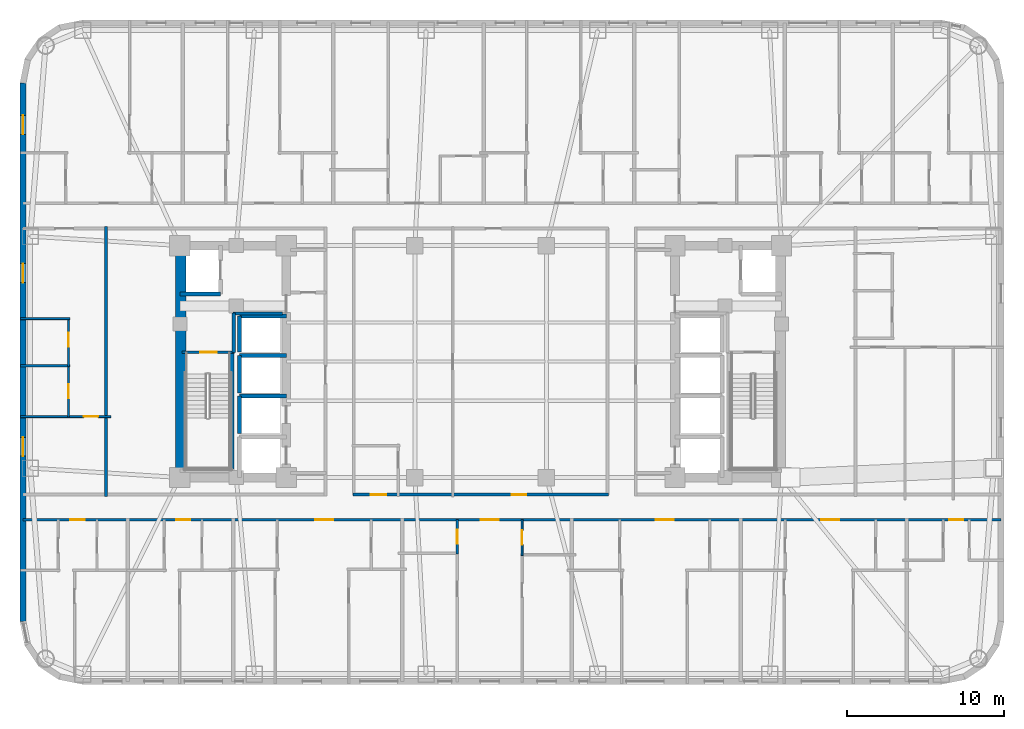
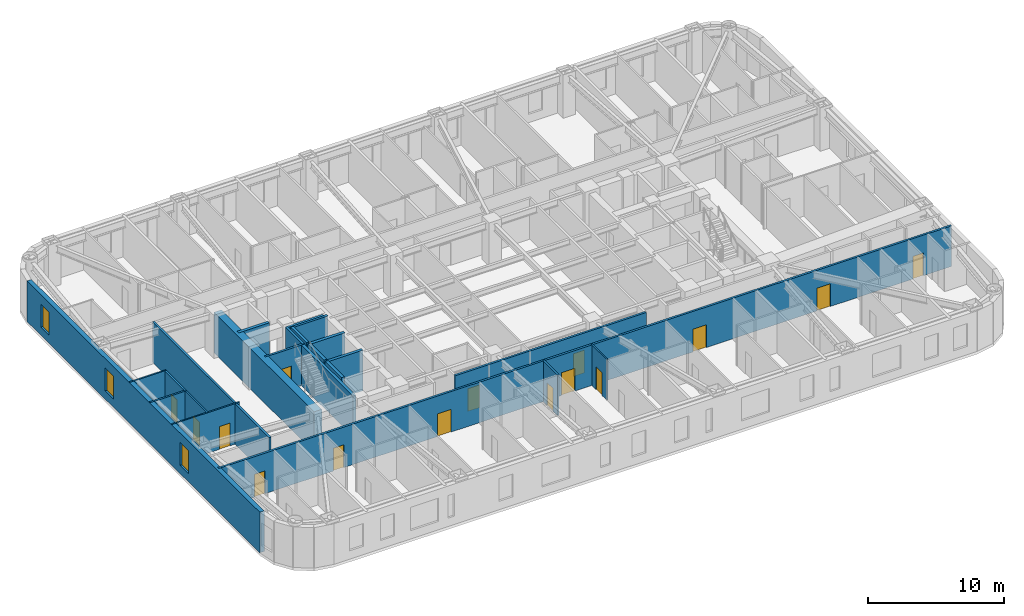
# One storey, part 4 of 11: 23 walls, 15 doors, 3 windows, 18 openings.
"""IFC4 building model written with IfcOpenShell, lengths in metres."""

from ifc_helpers import new_model, si_unit, direction, frame, frame_2d, origin, place, context, subcontext, project, spatial, rectangle, extrude, material, layer, layer_set, type_object, element, fill, save


model = new_model("IFC4")

# Units and contexts
model_context = context("Model", 3, precision=1e-05, world=origin(), true_north=direction((0.0, 1.0)))
body_context = subcontext(model_context, "Body", "Model", "MODEL_VIEW")
ifc_project = project(units=[si_unit("LENGTHUNIT", "METRE"), si_unit("AREAUNIT", "SQUARE_METRE"), si_unit("VOLUMEUNIT", "CUBIC_METRE"), si_unit("PLANEANGLEUNIT", "RADIAN"), si_unit("MASSUNIT", "GRAM", prefix="KILO")], contexts=[model_context])

# Site, building, storey
site_placement = place(None, origin())
site = spatial("IfcSite", under=ifc_project, at=site_placement, CompositionType="ELEMENT")
building_placement = place(site_placement, origin())
building = spatial("IfcBuilding", under=site, at=building_placement, Name="Voryun Gate Residences", CompositionType="ELEMENT")
storey_placement = place(building_placement, frame((0.0, 0.0, 97.5)))
storey = spatial("IfcBuildingStorey", under=building, at=storey_placement, Name="L23", CompositionType="ELEMENT", Elevation=97.5)

# Wall
ifc_material_1 = material(Name="Concrete C60/75", Category="concrete")
ifc_layer_1 = layer(ifc_material_1, 0.64990234375, Name="CW_CORE_650")
ifc_layer_set_1 = layer_set([ifc_layer_1], Name="Concrete C60/75")
wall_type_1 = type_object("IfcWallType", Name="CW_CORE_650", PredefinedType="SHEAR", material=ifc_layer_set_1)
wall_1_placement = place(storey_placement, frame((-19.14501953125, -7.39990234375, 0.0), z_axis=(0.0, 0.0, 1.0), x_axis=(0.0, 1.0, 0.0)))
element("IfcWall", 1, at=wall_1_placement, inside=storey, type_object=wall_type_1, Name="L23 Core shear wall CW-L23-WW", PredefinedType="SHEAR", context=body_context, shape_type="SweptSolid", body=[
    extrude(rectangle(XDim=14.7998046875, YDim=0.64990234375, at=frame_2d((7.39990234375, 0.0))), origin(), (0.0, 0.0, 1.0), 3.64990234375),
])

# Wall, opening, door
ifc_material_2 = material(Name="Gypsum acoustic fireboard")
ifc_layer_2 = layer(ifc_material_2, 0.179931640625, Name="W_CORR_RATED_180")
ifc_layer_set_2 = layer_set([ifc_layer_2], Name="Gypsum acoustic fireboard")
wall_type_2 = type_object("IfcWallType", Name="W_CORR_RATED_180", PredefinedType="PARTITIONING", material=ifc_layer_set_2)
wall_2_placement = place(storey_placement, frame((-19.06005859375, 0.60009765625, 0.0), z_axis=(0.0, 0.0, 1.0), x_axis=(1.0, 0.0, 0.0)))
wall_2 = element("IfcWall", 2, at=wall_2_placement, inside=storey, type_object=wall_type_2, Name="Partition wall WP-L23-STV-W", PredefinedType="PARTITIONING", context=body_context, shape_type="SweptSolid", body=[
    extrude(rectangle(XDim=3.360107421875, YDim=0.179931640625, at=frame_2d((1.68017578125, 0.0))), origin(), (0.0, 0.0, 1.0), 3.64990234375),
])
opening_1_placement = place(wall_2_placement, frame((1.155029296875, 0.0, 0.0)))
opening_1 = element("IfcOpeningElement", 3, at=opening_1_placement, cuts=wall_2, Name="Opening D-FD60-1", PredefinedType="OPENING", context=body_context, shape_type="SweptSolid", body=[
    extrude(rectangle(XDim=1.050048828125, YDim=2.050048828125, at=frame_2d((0.52490234375, 1.02490234375))), frame((0.0, 0.099853515625, 0.0), z_axis=(0.0, -1.0, 0.0), x_axis=(1.0, 0.0, 0.0)), (0.0, 0.0, 1.0), 0.199951171875),
])
ifc_material_3 = material(Name="Painted steel fire door", Category="steel")
door_type_1 = type_object("IfcDoorType", Name="DR_FD60_STAIR_1050", OperationType="NOTDEFINED", PredefinedType="DOOR", material=ifc_material_3)
door_1_placement = place(opening_1_placement, origin())
door_1 = element("IfcDoor", 4, at=door_1_placement, inside=storey, type_object=door_type_1, Name="Door DR-L23-ST-W", OperationType="SINGLE_SWING_LEFT", OverallHeight=2.050048828125, OverallWidth=1.050048828125, PredefinedType="DOOR", context=body_context, shape_type="SweptSolid", body=[
    extrude(rectangle(XDim=1.050048828125, YDim=2.050048828125, at=frame_2d((0.52490234375, 1.02490234375))), frame((0.0, 0.02490234375, 0.0), z_axis=(0.0, -1.0, 0.0), x_axis=(1.0, 0.0, 0.0)), (0.0, 0.0, 1.0), 0.050048828125),
])
fill(opening_1, door_1)

# Wall, openings, doors
wall_3_placement = place(storey_placement, frame((-8.14990234375, -8.489990234375, 0.0), z_axis=(0.0, 0.0, 1.0), x_axis=(1.0, 0.0, 0.0)))
wall_3 = element("IfcWall", 5, at=wall_3_placement, inside=storey, type_object=wall_type_2, Name="Partition wall WP-L23-Z1S", PredefinedType="PARTITIONING", context=body_context, shape_type="SweptSolid", body=[
    extrude(rectangle(XDim=16.2998046875, YDim=0.179931640625, at=frame_2d((8.14990234375, 0.0))), origin(), (0.0, 0.0, 1.0), 3.64990234375),
])
opening_2_placement = place(wall_3_placement, frame((1.1298828125, 0.0, 0.0)))
opening_2 = element("IfcOpeningElement", 6, at=opening_2_placement, cuts=wall_3, Name="Opening D-AWC-1", PredefinedType="OPENING", context=body_context, shape_type="SweptSolid", body=[
    extrude(rectangle(XDim=1.0, YDim=2.050048828125, at=frame_2d((0.5, 1.02490234375))), frame((0.0, 0.099853515625, 0.0), z_axis=(0.0, -1.0, 0.0), x_axis=(1.0, 0.0, 0.0)), (0.0, 0.0, 1.0), 0.199951171875),
])
opening_3_placement = place(wall_3_placement, frame((10.1201171875, 0.0, 0.0)))
opening_3 = element("IfcOpeningElement", 7, at=opening_3_placement, cuts=wall_3, Name="Opening D-INT-1", PredefinedType="OPENING", context=body_context, shape_type="SweptSolid", body=[
    extrude(rectangle(XDim=0.949951171875, YDim=2.050048828125, at=frame_2d((0.47509765625, 1.02490234375))), frame((0.0, 0.099853515625, 0.0), z_axis=(0.0, -1.0, 0.0), x_axis=(1.0, 0.0, 0.0)), (0.0, 0.0, 1.0), 0.199951171875),
])
ifc_material_4 = material(Name="Architectural oak veneer")
door_type_2 = type_object("IfcDoorType", Name="DR_ACC_WC_1000", OperationType="NOTDEFINED", PredefinedType="DOOR", material=ifc_material_4)
door_2_placement = place(opening_2_placement, origin())
door_2 = element("IfcDoor", 8, at=door_2_placement, inside=storey, type_object=door_type_2, Name="Door DR-L23-CMWC-D", OperationType="SINGLE_SWING_LEFT", OverallHeight=2.050048828125, OverallWidth=1.0, PredefinedType="DOOR", context=body_context, shape_type="SweptSolid", body=[
    extrude(rectangle(XDim=1.0, YDim=2.050048828125, at=frame_2d((0.5, 1.02490234375))), frame((0.0, 0.02490234375, 0.0), z_axis=(0.0, -1.0, 0.0), x_axis=(1.0, 0.0, 0.0)), (0.0, 0.0, 1.0), 0.050048828125),
])
fill(opening_2, door_2)
ifc_material_5 = material(Name="Architectural oak veneer")
door_type_3 = type_object("IfcDoorType", Name="DR_INT_ROOM_950", OperationType="NOTDEFINED", PredefinedType="DOOR", material=ifc_material_5)
door_3_placement = place(opening_3_placement, origin())
door_3 = element("IfcDoor", 9, at=door_3_placement, inside=storey, type_object=door_type_3, Name="Door DR-L23-CMIDZ1S", OperationType="SINGLE_SWING_RIGHT", OverallHeight=2.050048828125, OverallWidth=0.949951171875, PredefinedType="DOOR", context=body_context, shape_type="SweptSolid", body=[
    extrude(rectangle(XDim=0.949951171875, YDim=2.050048828125, at=frame_2d((0.47509765625, 1.02490234375))), frame((0.0, 0.02490234375, 0.0), z_axis=(0.0, -1.0, 0.0), x_axis=(1.0, 0.0, 0.0)), (0.0, 0.0, 1.0), 0.050048828125),
])
fill(opening_3, door_3)

wall_4_placement = place(storey_placement, frame((-29.2099609375, -10.10009765625, 0.0), z_axis=(0.0, 0.0, 1.0), x_axis=(1.0, 0.0, 0.0)))
wall_4 = element("IfcWall", 10, at=wall_4_placement, inside=storey, type_object=wall_type_2, Name="Partition wall WP-L23-SCORR", PredefinedType="PARTITIONING", context=body_context, shape_type="SweptSolid", body=[
    extrude(rectangle(XDim=62.419921875, YDim=0.179931640625, at=frame_2d((31.2099609375, 0.0))), origin(), (0.0, 0.0, 1.0), 3.64990234375),
])
opening_4_placement = place(wall_4_placement, frame((3.032958984375, 0.0, 0.0)))
opening_4 = element("IfcOpeningElement", 11, at=opening_4_placement, cuts=wall_4, Name="Opening D-INT-2", PredefinedType="OPENING", context=body_context, shape_type="SweptSolid", body=[
    extrude(rectangle(XDim=0.89990234375, YDim=2.050048828125, at=frame_2d((0.449951171875, 1.02490234375))), frame((0.0, 0.099853515625, 0.0), z_axis=(0.0, -1.0, 0.0), x_axis=(1.0, 0.0, 0.0)), (0.0, 0.0, 1.0), 0.199951171875),
])
opening_5_placement = place(wall_4_placement, frame((9.768310546875, 0.0, 0.0)))
opening_5 = element("IfcOpeningElement", 12, at=opening_5_placement, cuts=wall_4, Name="Opening D-INT-2", PredefinedType="OPENING", context=body_context, shape_type="SweptSolid", body=[
    extrude(rectangle(XDim=0.89990234375, YDim=2.050048828125, at=frame_2d((0.449951171875, 1.02490234375))), frame((0.0, 0.099853515625, 0.0), z_axis=(0.0, -1.0, 0.0), x_axis=(1.0, 0.0, 0.0)), (0.0, 0.0, 1.0), 0.199951171875),
])
opening_6_placement = place(wall_4_placement, frame((18.650390625, 0.0, 0.0)))
opening_6 = element("IfcOpeningElement", 13, at=opening_6_placement, cuts=wall_4, Name="Opening D-UNIT-1", PredefinedType="OPENING", context=body_context, shape_type="SweptSolid", body=[
    extrude(rectangle(XDim=1.14990234375, YDim=2.050048828125, at=frame_2d((0.574951171875, 1.02490234375))), frame((0.0, 0.099853515625, 0.0), z_axis=(0.0, -1.0, 0.0), x_axis=(1.0, 0.0, 0.0)), (0.0, 0.0, 1.0), 0.199951171875),
])
opening_7_placement = place(wall_4_placement, frame((29.2119140625, 0.0, 0.0)))
opening_7 = element("IfcOpeningElement", 14, at=opening_7_placement, cuts=wall_4, Name="Opening D-UNIT-1", PredefinedType="OPENING", context=body_context, shape_type="SweptSolid", body=[
    extrude(rectangle(XDim=1.14990234375, YDim=2.050048828125, at=frame_2d((0.574951171875, 1.02490234375))), frame((0.0, 0.099853515625, 0.0), z_axis=(0.0, -1.0, 0.0), x_axis=(1.0, 0.0, 0.0)), (0.0, 0.0, 1.0), 0.199951171875),
])
opening_8_placement = place(wall_4_placement, frame((40.37890625, 0.0, 0.0)))
opening_8 = element("IfcOpeningElement", 15, at=opening_8_placement, cuts=wall_4, Name="Opening D-UNIT-1", PredefinedType="OPENING", context=body_context, shape_type="SweptSolid", body=[
    extrude(rectangle(XDim=1.14990234375, YDim=2.050048828125, at=frame_2d((0.574951171875, 1.02490234375))), frame((0.0, 0.099853515625, 0.0), z_axis=(0.0, -1.0, 0.0), x_axis=(1.0, 0.0, 0.0)), (0.0, 0.0, 1.0), 0.199951171875),
])
opening_9_placement = place(wall_4_placement, frame((50.958984375, 0.0, 0.0)))
opening_9 = element("IfcOpeningElement", 16, at=opening_9_placement, cuts=wall_4, Name="Opening D-UNIT-1", PredefinedType="OPENING", context=body_context, shape_type="SweptSolid", body=[
    extrude(rectangle(XDim=1.14990234375, YDim=2.050048828125, at=frame_2d((0.574951171875, 1.02490234375))), frame((0.0, 0.099853515625, 0.0), z_axis=(0.0, -1.0, 0.0), x_axis=(1.0, 0.0, 0.0)), (0.0, 0.0, 1.0), 0.199951171875),
])
opening_10_placement = place(wall_4_placement, frame((59.117431640625, 0.0, 0.0)))
opening_10 = element("IfcOpeningElement", 17, at=opening_10_placement, cuts=wall_4, Name="Opening D-INT-2", PredefinedType="OPENING", context=body_context, shape_type="SweptSolid", body=[
    extrude(rectangle(XDim=0.89990234375, YDim=2.050048828125, at=frame_2d((0.449951171875, 1.02490234375))), frame((0.0, 0.099853515625, 0.0), z_axis=(0.0, -1.0, 0.0), x_axis=(1.0, 0.0, 0.0)), (0.0, 0.0, 1.0), 0.199951171875),
])
ifc_material_6 = material(Name="Architectural oak veneer")
door_type_4 = type_object("IfcDoorType", Name="DR_INT_BATH_900", OperationType="NOTDEFINED", PredefinedType="DOOR", material=ifc_material_6)
door_4_placement = place(opening_4_placement, origin())
door_4 = element("IfcDoor", 18, at=door_4_placement, inside=storey, type_object=door_type_4, Name="Door DR-L23-SENT-1", OperationType="SINGLE_SWING_RIGHT", OverallHeight=2.050048828125, OverallWidth=0.89990234375, PredefinedType="DOOR", context=body_context, shape_type="SweptSolid", body=[
    extrude(rectangle(XDim=0.89990234375, YDim=2.050048828125, at=frame_2d((0.449951171875, 1.02490234375))), frame((0.0, 0.02490234375, 0.0), z_axis=(0.0, -1.0, 0.0), x_axis=(1.0, 0.0, 0.0)), (0.0, 0.0, 1.0), 0.050048828125),
])
fill(opening_4, door_4)
door_5_placement = place(opening_5_placement, origin())
door_5 = element("IfcDoor", 19, at=door_5_placement, inside=storey, type_object=door_type_4, Name="Door DR-L23-SENT-2", OperationType="SINGLE_SWING_LEFT", OverallHeight=2.050048828125, OverallWidth=0.89990234375, PredefinedType="DOOR", context=body_context, shape_type="SweptSolid", body=[
    extrude(rectangle(XDim=0.89990234375, YDim=2.050048828125, at=frame_2d((0.449951171875, 1.02490234375))), frame((0.0, 0.02490234375, 0.0), z_axis=(0.0, -1.0, 0.0), x_axis=(1.0, 0.0, 0.0)), (0.0, 0.0, 1.0), 0.050048828125),
])
fill(opening_5, door_5)
door_6_placement = place(opening_10_placement, origin())
door_6 = element("IfcDoor", 20, at=door_6_placement, inside=storey, type_object=door_type_4, Name="Door DR-L23-SENT-7", OperationType="SINGLE_SWING_RIGHT", OverallHeight=2.050048828125, OverallWidth=0.89990234375, PredefinedType="DOOR", context=body_context, shape_type="SweptSolid", body=[
    extrude(rectangle(XDim=0.89990234375, YDim=2.050048828125, at=frame_2d((0.449951171875, 1.02490234375))), frame((0.0, 0.02490234375, 0.0), z_axis=(0.0, -1.0, 0.0), x_axis=(1.0, 0.0, 0.0)), (0.0, 0.0, 1.0), 0.050048828125),
])
fill(opening_10, door_6)
ifc_material_7 = material(Name="Armoured timber-clad fire door", Category="wood")
door_type_5 = type_object("IfcDoorType", Name="DR_UNIT_ENTRY_1150", OperationType="NOTDEFINED", PredefinedType="DOOR", material=ifc_material_7)
door_7_placement = place(opening_6_placement, origin())
door_7 = element("IfcDoor", 21, at=door_7_placement, inside=storey, type_object=door_type_5, Name="Door DR-L23-SENT-3", OperationType="SINGLE_SWING_RIGHT", OverallHeight=2.050048828125, OverallWidth=1.14990234375, PredefinedType="DOOR", context=body_context, shape_type="SweptSolid", body=[
    extrude(rectangle(XDim=1.14990234375, YDim=2.050048828125, at=frame_2d((0.574951171875, 1.02490234375))), frame((0.0, 0.02490234375, 0.0), z_axis=(0.0, -1.0, 0.0), x_axis=(1.0, 0.0, 0.0)), (0.0, 0.0, 1.0), 0.050048828125),
])
fill(opening_6, door_7)
door_8_placement = place(opening_7_placement, origin())
door_8 = element("IfcDoor", 22, at=door_8_placement, inside=storey, type_object=door_type_5, Name="Door DR-L23-SENT-4", OperationType="SINGLE_SWING_LEFT", OverallHeight=2.050048828125, OverallWidth=1.14990234375, PredefinedType="DOOR", context=body_context, shape_type="SweptSolid", body=[
    extrude(rectangle(XDim=1.14990234375, YDim=2.050048828125, at=frame_2d((0.574951171875, 1.02490234375))), frame((0.0, 0.02490234375, 0.0), z_axis=(0.0, -1.0, 0.0), x_axis=(1.0, 0.0, 0.0)), (0.0, 0.0, 1.0), 0.050048828125),
])
fill(opening_7, door_8)
door_9_placement = place(opening_8_placement, origin())
door_9 = element("IfcDoor", 23, at=door_9_placement, inside=storey, type_object=door_type_5, Name="Door DR-L23-SENT-5", OperationType="SINGLE_SWING_RIGHT", OverallHeight=2.050048828125, OverallWidth=1.14990234375, PredefinedType="DOOR", context=body_context, shape_type="SweptSolid", body=[
    extrude(rectangle(XDim=1.14990234375, YDim=2.050048828125, at=frame_2d((0.574951171875, 1.02490234375))), frame((0.0, 0.02490234375, 0.0), z_axis=(0.0, -1.0, 0.0), x_axis=(1.0, 0.0, 0.0)), (0.0, 0.0, 1.0), 0.050048828125),
])
fill(opening_8, door_9)
door_10_placement = place(opening_9_placement, origin())
door_10 = element("IfcDoor", 24, at=door_10_placement, inside=storey, type_object=door_type_5, Name="Door DR-L23-SENT-6", OperationType="SINGLE_SWING_LEFT", OverallHeight=2.050048828125, OverallWidth=1.14990234375, PredefinedType="DOOR", context=body_context, shape_type="SweptSolid", body=[
    extrude(rectangle(XDim=1.14990234375, YDim=2.050048828125, at=frame_2d((0.574951171875, 1.02490234375))), frame((0.0, 0.02490234375, 0.0), z_axis=(0.0, -1.0, 0.0), x_axis=(1.0, 0.0, 0.0)), (0.0, 0.0, 1.0), 0.050048828125),
])
fill(opening_9, door_10)

# Wall
wall_5_placement = place(storey_placement, frame((-23.919921875, -8.610107421875, 0.0), z_axis=(0.0, 0.0, 1.0), x_axis=(0.0, 1.0, 0.0)))
element("IfcWall", 25, at=wall_5_placement, inside=storey, type_object=wall_type_2, Name="Partition wall WP-L23-WCOR", PredefinedType="PARTITIONING", context=body_context, shape_type="SweptSolid", body=[
    extrude(rectangle(XDim=17.22021484375, YDim=0.179931640625, at=frame_2d((8.610107421875, 0.0))), origin(), (0.0, 0.0, 1.0), 3.64990234375),
])

# Wall, openings, windows
ifc_material_8 = material(Name="Granite masonry", Category="masonry")
ifc_layer_3 = layer(ifc_material_8, 0.3798828125, Name="W_EXT_GRANITE_380")
ifc_layer_set_3 = layer_set([ifc_layer_3], Name="Granite masonry")
wall_type_3 = type_object("IfcWallType", Name="W_EXT_GRANITE_380", PredefinedType="ELEMENTEDWALL", material=ifc_layer_set_3)
wall_6_placement = place(storey_placement, frame((-29.2099609375, -16.581298828125, 0.0), z_axis=(0.0, 0.0, 1.0), x_axis=(0.0, 1.0, 0.0)))
wall_6 = element("IfcWall", 26, at=wall_6_placement, inside=storey, type_object=wall_type_3, Name="Exterior wall WEXT-L23-06", PredefinedType="ELEMENTEDWALL", context=body_context, shape_type="SweptSolid", body=[
    extrude(rectangle(XDim=34.362548828125, YDim=0.3798828125, at=frame_2d((17.18115234375, 0.0))), origin(), (0.0, 0.0, 1.0), 3.64990234375),
])
opening_11_placement = place(wall_6_placement, frame((31.0869140625, 0.0, 0.75)))
opening_11 = element("IfcOpeningElement", 27, at=opening_11_placement, cuts=wall_6, Name="Opening WN6", PredefinedType="OPENING", context=body_context, shape_type="SweptSolid", body=[
    extrude(rectangle(XDim=1.199951171875, YDim=2.050048828125, at=frame_2d((0.60009765625, 1.02490234375))), frame((0.0, 0.199951171875, 0.0), z_axis=(0.0, -1.0, 0.0), x_axis=(1.0, 0.0, 0.0)), (0.0, 0.0, 1.0), 0.39990234375),
])
opening_12_placement = place(wall_6_placement, frame((21.626220703125, 0.0, 0.75)))
opening_12 = element("IfcOpeningElement", 28, at=opening_12_placement, cuts=wall_6, Name="Opening WN6", PredefinedType="OPENING", context=body_context, shape_type="SweptSolid", body=[
    extrude(rectangle(XDim=1.199951171875, YDim=2.050048828125, at=frame_2d((0.60009765625, 1.02490234375))), frame((0.0, 0.199951171875, 0.0), z_axis=(0.0, -1.0, 0.0), x_axis=(1.0, 0.0, 0.0)), (0.0, 0.0, 1.0), 0.39990234375),
])
opening_13_placement = place(wall_6_placement, frame((10.55126953125, 0.0, 0.75)))
opening_13 = element("IfcOpeningElement", 29, at=opening_13_placement, cuts=wall_6, Name="Opening WN6", PredefinedType="OPENING", context=body_context, shape_type="SweptSolid", body=[
    extrude(rectangle(XDim=1.199951171875, YDim=2.050048828125, at=frame_2d((0.60009765625, 1.02490234375))), frame((0.0, 0.199951171875, 0.0), z_axis=(0.0, -1.0, 0.0), x_axis=(1.0, 0.0, 0.0)), (0.0, 0.0, 1.0), 0.39990234375),
])
ifc_material_9 = material(Name="Laminated low-E glass", Category="glass")
window_type = type_object("IfcWindowType", Name="WN_POD_SLOT_1200", PartitioningType="SINGLE_PANEL", PredefinedType="WINDOW", material=ifc_material_9)
window_1_placement = place(opening_11_placement, origin())
window_1 = element("IfcWindow", 30, at=window_1_placement, inside=storey, type_object=window_type, Name="Window WN-L23-DWFIX-01", OverallHeight=2.050048828125, OverallWidth=1.199951171875, PartitioningType="SINGLE_PANEL", PredefinedType="WINDOW", context=body_context, shape_type="SweptSolid", body=[
    extrude(rectangle(XDim=1.199951171875, YDim=2.050048828125, at=frame_2d((0.60009765625, 1.02490234375))), frame((0.0, 0.030029296875, 0.0), z_axis=(0.0, -1.0, 0.0), x_axis=(1.0, 0.0, 0.0)), (0.0, 0.0, 1.0), 0.06005859375),
])
fill(opening_11, window_1)
window_2_placement = place(opening_12_placement, origin())
window_2 = element("IfcWindow", 31, at=window_2_placement, inside=storey, type_object=window_type, Name="Window WN-L23-DWFIX-29", OverallHeight=2.050048828125, OverallWidth=1.199951171875, PartitioningType="SINGLE_PANEL", PredefinedType="WINDOW", context=body_context, shape_type="SweptSolid", body=[
    extrude(rectangle(XDim=1.199951171875, YDim=2.050048828125, at=frame_2d((0.60009765625, 1.02490234375))), frame((0.0, 0.030029296875, 0.0), z_axis=(0.0, -1.0, 0.0), x_axis=(1.0, 0.0, 0.0)), (0.0, 0.0, 1.0), 0.06005859375),
])
fill(opening_12, window_2)
window_3_placement = place(opening_13_placement, origin())
window_3 = element("IfcWindow", 32, at=window_3_placement, inside=storey, type_object=window_type, Name="Window WN-L23-DWFIX-30", OverallHeight=2.050048828125, OverallWidth=1.199951171875, PartitioningType="SINGLE_PANEL", PredefinedType="WINDOW", context=body_context, shape_type="SweptSolid", body=[
    extrude(rectangle(XDim=1.199951171875, YDim=2.050048828125, at=frame_2d((0.60009765625, 1.02490234375))), frame((0.0, 0.030029296875, 0.0), z_axis=(0.0, -1.0, 0.0), x_axis=(1.0, 0.0, 0.0)), (0.0, 0.0, 1.0), 0.06005859375),
])
fill(opening_13, window_3)

# Walls
ifc_material_10 = material(Name="Concrete C40/50", Category="concrete")
ifc_layer_4 = layer(ifc_material_10, 0.199951171875, Name="W_FF_LOBBY_200")
ifc_layer_set_4 = layer_set([ifc_layer_4], Name="Concrete C40/50")
wall_type_4 = type_object("IfcWallType", Name="W_FF_LOBBY_200", PredefinedType="PARTITIONING", material=ifc_layer_set_4)
wall_7_placement = place(storey_placement, frame((-15.760009765625, 0.580078125, 0.0), z_axis=(0.0, 0.0, 1.0), x_axis=(0.0, 1.0, 0.0)))
element("IfcWall", 33, at=wall_7_placement, inside=storey, type_object=wall_type_4, Name="Partition wall WP-L23-FFP0-W", PredefinedType="PARTITIONING", context=body_context, shape_type="SweptSolid", body=[
    extrude(rectangle(XDim=2.52001953125, YDim=0.199951171875, at=frame_2d((1.260009765625, 0.0))), origin(), (0.0, 0.0, 1.0), 3.64990234375),
])
wall_8_placement = place(storey_placement, frame((-15.820068359375, 3.06005859375, 0.0), z_axis=(0.0, 0.0, 1.0), x_axis=(1.0, 0.0, 0.0)))
element("IfcWall", 34, at=wall_8_placement, inside=storey, type_object=wall_type_4, Name="Partition wall WP-L23-FFPS-W", PredefinedType="PARTITIONING", context=body_context, shape_type="SweptSolid", body=[
    extrude(rectangle(XDim=3.16015625, YDim=0.199951171875, at=frame_2d((1.580078125, 0.0))), origin(), (0.0, 0.0, 1.0), 3.64990234375),
])
ifc_material_11 = material(Name="Concrete C50/60", Category="concrete")
ifc_layer_5 = layer(ifc_material_11, 0.25, Name="W_SHAFT_RC250")
ifc_layer_set_5 = layer_set([ifc_layer_5], Name="Concrete C50/60")
wall_type_5 = type_object("IfcWallType", Name="W_SHAFT_RC250", PredefinedType="SOLIDWALL", material=ifc_layer_set_5)
wall_9_placement = place(storey_placement, frame((-15.860107421875, -7.0849609375, 0.0), z_axis=(0.0, 0.0, 1.0), x_axis=(0.0, 1.0, 0.0)))
element("IfcWall", 35, at=wall_9_placement, inside=storey, type_object=wall_type_5, Name="L23 Stair shaft structural wall W-STR", PredefinedType="SOLIDWALL", context=body_context, shape_type="SweptSolid", body=[
    extrude(rectangle(XDim=7.68505859375, YDim=0.25, at=frame_2d((3.842529296875, 0.0))), origin(), (0.0, 0.0, 1.0), 3.64990234375),
])
wall_10_placement = place(storey_placement, frame((-19.199951171875, 4.300048828125, 0.0), z_axis=(0.0, 0.0, 1.0), x_axis=(1.0, 0.0, 0.0)))
element("IfcWall", 36, at=wall_10_placement, inside=storey, type_object=wall_type_5, Name="Lift shaft wall WSH-L23-EL-FF-W1-S", PredefinedType="SOLIDWALL", context=body_context, shape_type="SweptSolid", body=[
    extrude(rectangle(XDim=2.599853515625, YDim=0.25, at=frame_2d((1.2998046875, 0.0))), origin(), (0.0, 0.0, 1.0), 3.64990234375),
])
wall_11_placement = place(storey_placement, frame((-12.39990234375, -2.199951171875, 0.0), z_axis=(0.0, 0.0, 1.0), x_axis=(-1.0, 0.0, 0.0)))
element("IfcWall", 37, at=wall_11_placement, inside=storey, type_object=wall_type_5, Name="Lift shaft wall WSH-L23-EL-P2-N", PredefinedType="SOLIDWALL", context=body_context, shape_type="SweptSolid", body=[
    extrude(rectangle(XDim=3.0, YDim=0.25, at=frame_2d((1.5, 0.0))), origin(), (0.0, 0.0, 1.0), 3.64990234375),
])
wall_12_placement = place(storey_placement, frame((-15.39990234375, -2.199951171875, 0.0), z_axis=(0.0, 0.0, 1.0), x_axis=(0.0, -1.0, 0.0)))
element("IfcWall", 38, at=wall_12_placement, inside=storey, type_object=wall_type_5, Name="Lift shaft wall WSH-L23-EL-P2-W", PredefinedType="SOLIDWALL", context=body_context, shape_type="SweptSolid", body=[
    extrude(rectangle(XDim=2.400146484375, YDim=0.25, at=frame_2d((1.2001953125, 0.0))), origin(), (0.0, 0.0, 1.0), 3.64990234375),
])
wall_13_placement = place(storey_placement, frame((-12.39990234375, 0.39990234375, 0.0), z_axis=(0.0, 0.0, 1.0), x_axis=(-1.0, 0.0, 0.0)))
element("IfcWall", 39, at=wall_13_placement, inside=storey, type_object=wall_type_5, Name="Lift shaft wall WSH-L23-EL-P4-N", PredefinedType="SOLIDWALL", context=body_context, shape_type="SweptSolid", body=[
    extrude(rectangle(XDim=3.0, YDim=0.25, at=frame_2d((1.5, 0.0))), origin(), (0.0, 0.0, 1.0), 3.64990234375),
])
wall_14_placement = place(storey_placement, frame((-15.39990234375, 0.39990234375, 0.0), z_axis=(0.0, 0.0, 1.0), x_axis=(0.0, -1.0, 0.0)))
element("IfcWall", 40, at=wall_14_placement, inside=storey, type_object=wall_type_5, Name="Lift shaft wall WSH-L23-EL-P4-W", PredefinedType="SOLIDWALL", context=body_context, shape_type="SweptSolid", body=[
    extrude(rectangle(XDim=2.39990234375, YDim=0.25, at=frame_2d((1.199951171875, 0.0))), origin(), (0.0, 0.0, 1.0), 3.64990234375),
])
wall_15_placement = place(storey_placement, frame((-12.39990234375, 2.89990234375, 0.0), z_axis=(0.0, 0.0, 1.0), x_axis=(-1.0, 0.0, 0.0)))
element("IfcWall", 41, at=wall_15_placement, inside=storey, type_object=wall_type_5, Name="Lift shaft wall WSH-L23-EL-P7-N", PredefinedType="SOLIDWALL", context=body_context, shape_type="SweptSolid", body=[
    extrude(rectangle(XDim=3.0, YDim=0.25, at=frame_2d((1.5, 0.0))), origin(), (0.0, 0.0, 1.0), 3.64990234375),
])
wall_16_placement = place(storey_placement, frame((-15.39990234375, 2.89990234375, 0.0), z_axis=(0.0, 0.0, 1.0), x_axis=(0.0, -1.0, 0.0)))
element("IfcWall", 42, at=wall_16_placement, inside=storey, type_object=wall_type_5, Name="Lift shaft wall WSH-L23-EL-P7-W", PredefinedType="SOLIDWALL", context=body_context, shape_type="SweptSolid", body=[
    extrude(rectangle(XDim=2.2998046875, YDim=0.25, at=frame_2d((1.14990234375, 0.0))), origin(), (0.0, 0.0, 1.0), 3.64990234375),
])

# Wall, opening, door
ifc_material_12 = material(Name="Gypsum acoustic partition")
ifc_layer_6 = layer(ifc_material_12, 0.125, Name="W_UNIT_PART_125")
ifc_layer_set_6 = layer_set([ifc_layer_6], Name="Gypsum acoustic partition")
wall_type_6 = type_object("IfcWallType", Name="W_UNIT_PART_125", PredefinedType="PARTITIONING", material=ifc_layer_set_6)
wall_17_placement = place(storey_placement, frame((2.639892578125, -12.3798828125, 0.0), z_axis=(0.0, 0.0, 1.0), x_axis=(0.0, 1.0, 0.0)))
wall_17 = element("IfcWall", 43, at=wall_17_placement, inside=storey, type_object=wall_type_6, Name="Partition wall WP-L23-S4-RVX2", PredefinedType="PARTITIONING", context=body_context, shape_type="SweptSolid", body=[
    extrude(rectangle(XDim=2.2998046875, YDim=0.125, at=frame_2d((1.14990234375, 0.0))), origin(), (0.0, 0.0, 1.0), 3.64990234375),
])
opening_14_placement = place(wall_17_placement, frame((0.699951171875, 0.0, 0.0)))
opening_14 = element("IfcOpeningElement", 44, at=opening_14_placement, cuts=wall_17, Name="Opening D-INT-2", PredefinedType="OPENING", context=body_context, shape_type="SweptSolid", body=[
    extrude(rectangle(XDim=0.89990234375, YDim=2.050048828125, at=frame_2d((0.449951171875, 1.02490234375))), frame((0.0, 0.072509765625, 0.0), z_axis=(0.0, -1.0, 0.0), x_axis=(1.0, 0.0, 0.0)), (0.0, 0.0, 1.0), 0.14501953125),
])
door_11_placement = place(opening_14_placement, origin())
door_11 = element("IfcDoor", 45, at=door_11_placement, inside=storey, type_object=door_type_4, Name="Door DR-L23-S4-DK", OperationType="SINGLE_SWING_LEFT", OverallHeight=2.050048828125, OverallWidth=0.89990234375, PredefinedType="DOOR", context=body_context, shape_type="SweptSolid", body=[
    extrude(rectangle(XDim=0.89990234375, YDim=2.050048828125, at=frame_2d((0.449951171875, 1.02490234375))), frame((0.0, 0.02490234375, 0.0), z_axis=(0.0, -1.0, 0.0), x_axis=(1.0, 0.0, 0.0)), (0.0, 0.0, 1.0), 0.050048828125),
])
fill(opening_14, door_11)

# Wall
wall_18_placement = place(storey_placement, frame((-29.360107421875, 2.739990234375, 0.0), z_axis=(0.0, 0.0, 1.0), x_axis=(1.0, 0.0, 0.0)))
element("IfcWall", 46, at=wall_18_placement, inside=storey, type_object=wall_type_6, Name="Partition wall WP-L23-W1-HZ1", PredefinedType="PARTITIONING", context=body_context, shape_type="SweptSolid", body=[
    extrude(rectangle(XDim=3.135986328125, YDim=0.125, at=frame_2d((1.56787109375, 0.0))), origin(), (0.0, 0.0, 1.0), 3.64990234375),
])

# Wall, opening, door
wall_19_placement = place(storey_placement, frame((-29.360107421875, -3.510009765625, 0.0), z_axis=(0.0, 0.0, 1.0), x_axis=(1.0, 0.0, 0.0)))
wall_19 = element("IfcWall", 47, at=wall_19_placement, inside=storey, type_object=wall_type_6, Name="Partition wall WP-L23-W1-HZ3", PredefinedType="PARTITIONING", context=body_context, shape_type="SweptSolid", body=[
    extrude(rectangle(XDim=5.760009765625, YDim=0.125, at=frame_2d((2.8798828125, 0.0))), origin(), (0.0, 0.0, 1.0), 3.64990234375),
])
opening_15_placement = place(wall_19_placement, frame((4.042724609375, 0.0, 0.0)))
opening_15 = element("IfcOpeningElement", 48, at=opening_15_placement, cuts=wall_19, Name="Opening D-INT-2", PredefinedType="OPENING", context=body_context, shape_type="SweptSolid", body=[
    extrude(rectangle(XDim=0.89990234375, YDim=2.050048828125, at=frame_2d((0.449951171875, 1.02490234375))), frame((0.0, 0.072509765625, 0.0), z_axis=(0.0, -1.0, 0.0), x_axis=(1.0, 0.0, 0.0)), (0.0, 0.0, 1.0), 0.14501953125),
])
door_12_placement = place(opening_15_placement, origin())
door_12 = element("IfcDoor", 49, at=door_12_placement, inside=storey, type_object=door_type_4, Name="Door DR-L23-W1-DMB", OperationType="SINGLE_SWING_LEFT", OverallHeight=2.050048828125, OverallWidth=0.89990234375, PredefinedType="DOOR", context=body_context, shape_type="SweptSolid", body=[
    extrude(rectangle(XDim=0.89990234375, YDim=2.050048828125, at=frame_2d((0.449951171875, 1.02490234375))), frame((0.0, 0.02490234375, 0.0), z_axis=(0.0, -1.0, 0.0), x_axis=(1.0, 0.0, 0.0)), (0.0, 0.0, 1.0), 0.050048828125),
])
fill(opening_15, door_12)

ifc_material_13 = material(Name="Gypsum moisture-resistant partition")
ifc_layer_7 = layer(ifc_material_13, 0.14990234375, Name="W_WET_PLUMB_150")
ifc_layer_set_7 = layer_set([ifc_layer_7], Name="Gypsum moisture-resistant partition")
wall_type_7 = type_object("IfcWallType", Name="W_WET_PLUMB_150", PredefinedType="PLUMBINGWALL", material=ifc_layer_set_7)
wall_20_placement = place(storey_placement, frame((-1.489990234375, -12.280029296875, 0.0), z_axis=(0.0, 0.0, 1.0), x_axis=(0.0, 1.0, 0.0)))
wall_20 = element("IfcWall", 50, at=wall_20_placement, inside=storey, type_object=wall_type_7, Name="Partition wall WP-L23-S4-LVX2", PredefinedType="PLUMBINGWALL", context=body_context, shape_type="SweptSolid", body=[
    extrude(rectangle(XDim=2.199951171875, YDim=0.14990234375, at=frame_2d((1.10009765625, 0.0))), origin(), (0.0, 0.0, 1.0), 3.64990234375),
])
opening_16_placement = place(wall_20_placement, frame((0.64990234375, 0.0, 0.0)))
opening_16 = element("IfcOpeningElement", 51, at=opening_16_placement, cuts=wall_20, Name="Opening D-INT-2", PredefinedType="OPENING", context=body_context, shape_type="SweptSolid", body=[
    extrude(rectangle(XDim=0.89990234375, YDim=2.050048828125, at=frame_2d((0.449951171875, 1.02490234375))), frame((0.0, 0.0849609375, 0.0), z_axis=(0.0, -1.0, 0.0), x_axis=(1.0, 0.0, 0.0)), (0.0, 0.0, 1.0), 0.169921875),
])
door_13_placement = place(opening_16_placement, origin())
door_13 = element("IfcDoor", 52, at=door_13_placement, inside=storey, type_object=door_type_4, Name="Door DR-L23-S4-DB", OperationType="SINGLE_SWING_RIGHT", OverallHeight=2.050048828125, OverallWidth=0.89990234375, PredefinedType="DOOR", context=body_context, shape_type="SweptSolid", body=[
    extrude(rectangle(XDim=0.89990234375, YDim=2.050048828125, at=frame_2d((0.449951171875, 1.02490234375))), frame((0.0, 0.02490234375, 0.0), z_axis=(0.0, -1.0, 0.0), x_axis=(1.0, 0.0, 0.0)), (0.0, 0.0, 1.0), 0.050048828125),
])
fill(opening_16, door_13)

# Wall
wall_21_placement = place(storey_placement, frame((-29.360107421875, -0.260009765625, 0.0), z_axis=(0.0, 0.0, 1.0), x_axis=(1.0, 0.0, 0.0)))
element("IfcWall", 53, at=wall_21_placement, inside=storey, type_object=wall_type_7, Name="Partition wall WP-L23-W1-HZ2", PredefinedType="PLUMBINGWALL", context=body_context, shape_type="SweptSolid", body=[
    extrude(rectangle(XDim=3.135986328125, YDim=0.14990234375, at=frame_2d((1.56787109375, 0.0))), origin(), (0.0, 0.0, 1.0), 3.64990234375),
])

# Wall, opening, door
wall_22_placement = place(storey_placement, frame((-26.303955078125, -3.550048828125, 0.0), z_axis=(0.0, 0.0, 1.0), x_axis=(0.0, 1.0, 0.0)))
wall_22 = element("IfcWall", 54, at=wall_22_placement, inside=storey, type_object=wall_type_7, Name="Partition wall WP-L23-W1-VKB1", PredefinedType="PLUMBINGWALL", context=body_context, shape_type="SweptSolid", body=[
    extrude(rectangle(XDim=3.330078125, YDim=0.14990234375, at=frame_2d((1.6650390625, 0.0))), origin(), (0.0, 0.0, 1.0), 3.64990234375),
])
opening_17_placement = place(wall_22_placement, frame((1.215087890625, 0.0, 0.0)))
opening_17 = element("IfcOpeningElement", 55, at=opening_17_placement, cuts=wall_22, Name="Opening D-INT-2", PredefinedType="OPENING", context=body_context, shape_type="SweptSolid", body=[
    extrude(rectangle(XDim=0.89990234375, YDim=2.050048828125, at=frame_2d((0.449951171875, 1.02490234375))), frame((0.0, 0.0849609375, 0.0), z_axis=(0.0, -1.0, 0.0), x_axis=(1.0, 0.0, 0.0)), (0.0, 0.0, 1.0), 0.169921875),
])
door_14_placement = place(opening_17_placement, origin())
door_14 = element("IfcDoor", 56, at=door_14_placement, inside=storey, type_object=door_type_4, Name="Door DR-L23-W1-DB", OperationType="SINGLE_SWING_LEFT", OverallHeight=2.050048828125, OverallWidth=0.89990234375, PredefinedType="DOOR", context=body_context, shape_type="SweptSolid", body=[
    extrude(rectangle(XDim=0.89990234375, YDim=2.050048828125, at=frame_2d((0.449951171875, 1.02490234375))), frame((0.0, 0.02490234375, 0.0), z_axis=(0.0, -1.0, 0.0), x_axis=(1.0, 0.0, 0.0)), (0.0, 0.0, 1.0), 0.050048828125),
])
fill(opening_17, door_14)

wall_23_placement = place(storey_placement, frame((-26.303955078125, -0.300048828125, 0.0), z_axis=(0.0, 0.0, 1.0), x_axis=(0.0, 1.0, 0.0)))
wall_23 = element("IfcWall", 57, at=wall_23_placement, inside=storey, type_object=wall_type_7, Name="Partition wall WP-L23-W1-VKB2", PredefinedType="PLUMBINGWALL", context=body_context, shape_type="SweptSolid", body=[
    extrude(rectangle(XDim=3.080078125, YDim=0.14990234375, at=frame_2d((1.5400390625, 0.0))), origin(), (0.0, 0.0, 1.0), 3.64990234375),
])
opening_18_placement = place(wall_23_placement, frame((1.243896484375, 0.0, 0.0)))
opening_18 = element("IfcOpeningElement", 58, at=opening_18_placement, cuts=wall_23, Name="Opening D-INT-2", PredefinedType="OPENING", context=body_context, shape_type="SweptSolid", body=[
    extrude(rectangle(XDim=0.89990234375, YDim=2.050048828125, at=frame_2d((0.449951171875, 1.02490234375))), frame((0.0, 0.0849609375, 0.0), z_axis=(0.0, -1.0, 0.0), x_axis=(1.0, 0.0, 0.0)), (0.0, 0.0, 1.0), 0.169921875),
])
door_15_placement = place(opening_18_placement, origin())
door_15 = element("IfcDoor", 59, at=door_15_placement, inside=storey, type_object=door_type_4, Name="Door DR-L23-W1-DK", OperationType="SINGLE_SWING_RIGHT", OverallHeight=2.050048828125, OverallWidth=0.89990234375, PredefinedType="DOOR", context=body_context, shape_type="SweptSolid", body=[
    extrude(rectangle(XDim=0.89990234375, YDim=2.050048828125, at=frame_2d((0.449951171875, 1.02490234375))), frame((0.0, 0.02490234375, 0.0), z_axis=(0.0, -1.0, 0.0), x_axis=(1.0, 0.0, 0.0)), (0.0, 0.0, 1.0), 0.050048828125),
])
fill(opening_18, door_15)

save(model, "model.ifc")
